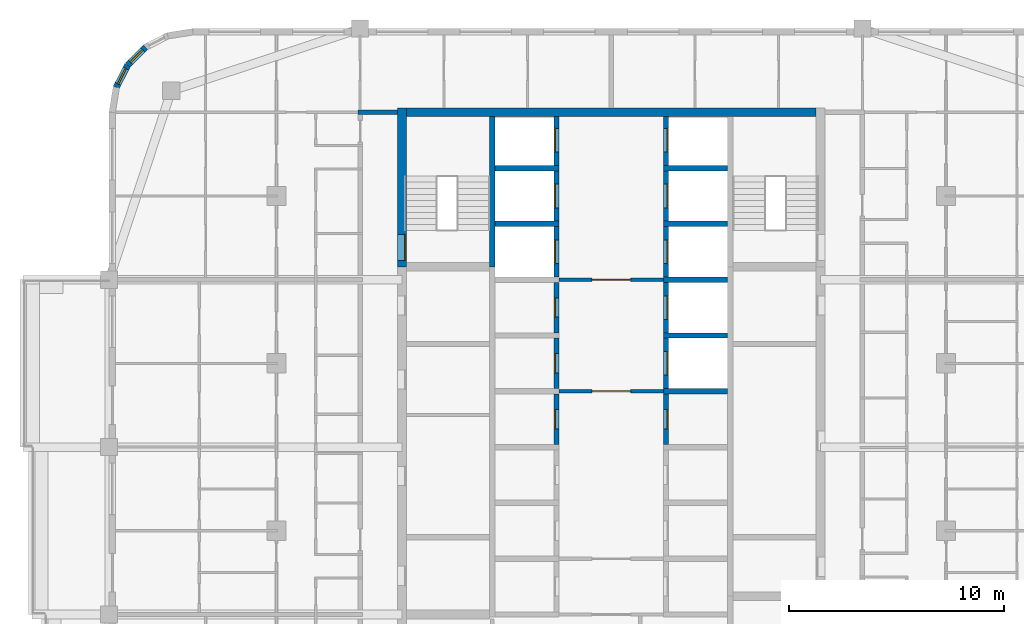
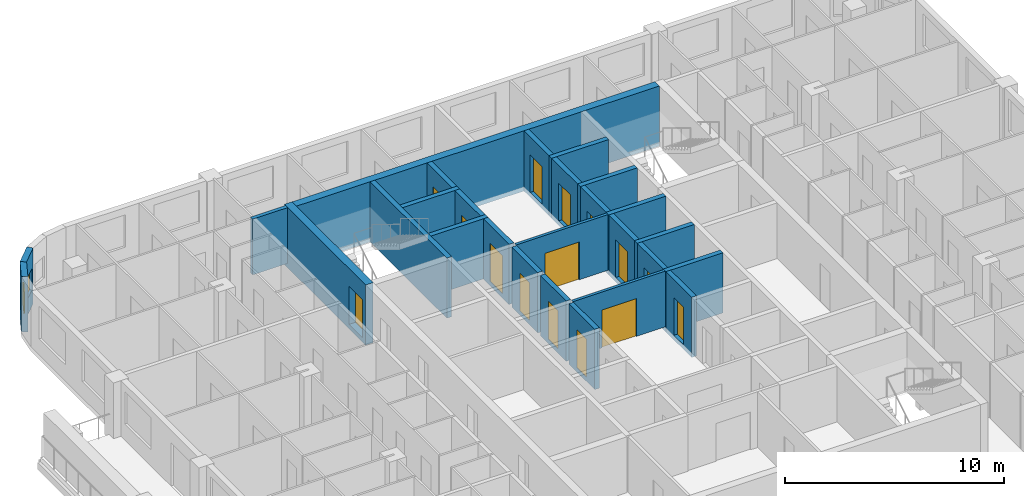
# One storey, part 9 of 16: 27 walls, 15 doors, 2 windows, 17 openings.
"""IFC4 building model written with IfcOpenShell, lengths in metres."""

import ifcopenshell
import ifcopenshell.guid

model = None  # the IFC model being written
_history = None  # IfcOwnerHistory: only IFC2X3 demands one
_inside = {}  # id of a spatial element -> (the spatial element, [elements in it])
_under = {}  # id of a project, library or spatial element -> (it, [spatial elements below it])
_declared = {}  # id of a project -> (the project, [libraries it declares])
_typed = {}  # id of a type object -> (the type object, [elements of that type])
_made_of = {}  # id of a material, layer set ... -> (it, [elements and type objects made of it])


def new_model(schema):
    """Start an empty IFC model of exactly this schema.

    Asked for "IFC4X3", IfcOpenShell would pick the latest addendum, in which some entities
    have other attributes; the version numbers below select the first issue.
    IFC2X3 requires an IfcOwnerHistory on every rooted entity: one is made here for all.
    """
    global model, _history
    if schema == "IFC4X3":
        model = ifcopenshell.file(schema_version=(4, 3, 0, 0))
    else:
        model = ifcopenshell.file(schema=schema)
    _inside.clear()
    _under.clear()
    _declared.clear()
    _typed.clear()
    _made_of.clear()
    _history = None
    if model.schema == "IFC2X3":
        org = make("IfcOrganization", Name="unknown")
        user = make(
            "IfcPersonAndOrganization",
            ThePerson=make("IfcPerson", FamilyName="unknown"),
            TheOrganization=org,
        )
        app = make(
            "IfcApplication",
            ApplicationDeveloper=org,
            Version="unknown",
            ApplicationFullName="unknown",
            ApplicationIdentifier="unknown",
        )
        _history = make(
            "IfcOwnerHistory",
            OwningUser=user,
            OwningApplication=app,
            ChangeAction="ADDED",
            CreationDate=0,
        )
    return model


def make(cls, **values):
    """One entity of the class cls with the attributes given. An attribute that is None is left unset."""
    return model.create_entity(
        cls, **{name: value for name, value in values.items() if value is not None}
    )


def rooted(cls, **values):
    """An entity with a GlobalId (a new one), such as an element, a storey or a relation."""
    return make(cls, GlobalId=ifcopenshell.guid.new(), OwnerHistory=_history, **values)


def si_unit(unit_type, name, prefix=None):
    """IfcSIUnit, for example si_unit("LENGTHUNIT", "METRE", prefix="MILLI")."""
    return make("IfcSIUnit", UnitType=unit_type, Prefix=prefix, Name=name)


def assignment(units):
    """IfcUnitAssignment: the units of a project."""
    return None if units is None else make("IfcUnitAssignment", Units=units)


def point(xyz):
    """IfcCartesianPoint."""
    return None if xyz is None else make("IfcCartesianPoint", Coordinates=xyz)


def direction(xyz):
    """IfcDirection."""
    return None if xyz is None else make("IfcDirection", DirectionRatios=xyz)


def frame(location, z_axis=None, x_axis=None):
    """IfcAxis2Placement3D, a coordinate frame: its origin and axes. An axis left out is left unset."""
    return make(
        "IfcAxis2Placement3D",
        Location=point(location),
        Axis=direction(z_axis),
        RefDirection=direction(x_axis),
    )


def frame_2d(location, x_axis=None):
    """IfcAxis2Placement2D, a coordinate frame in the plane: its origin and x axis."""
    return make(
        "IfcAxis2Placement2D", Location=point(location), RefDirection=direction(x_axis)
    )


def origin():
    """The frame at (0, 0, 0) with its axes left unset."""
    return frame((0.0, 0.0, 0.0))


def place(relative_to, where):
    """IfcLocalPlacement: puts the frame where relative to a parent placement (None: the world)."""
    return make(
        "IfcLocalPlacement", PlacementRelTo=relative_to, RelativePlacement=where
    )


def context(
    kind, dimensions, precision=None, world=None, true_north=None, identifier=None
):
    """IfcGeometricRepresentationContext, for example the 3D "Model" context."""
    return make(
        "IfcGeometricRepresentationContext",
        ContextIdentifier=identifier,
        ContextType=kind,
        CoordinateSpaceDimension=dimensions,
        Precision=precision,
        WorldCoordinateSystem=world,
        TrueNorth=true_north,
    )


def subcontext(parent, identifier, kind, view, scale=None):
    """IfcGeometricRepresentationSubContext, for example "Body" below "Model"."""
    return make(
        "IfcGeometricRepresentationSubContext",
        ContextIdentifier=identifier,
        ContextType=kind,
        ParentContext=parent,
        TargetScale=scale,
        TargetView=view,
    )


def project(units=None, contexts=None):
    """IfcProject with its units and contexts."""
    return rooted(
        "IfcProject",
        Name="project",
        RepresentationContexts=contexts,
        UnitsInContext=assignment(units),
    )


def spatial(cls, under=None, at=None, **own):
    """A site, building, storey or space (cls), placed at a placement, below another one or the project."""
    s = rooted(cls, ObjectPlacement=at, **own)
    if under is not None:
        _under.setdefault(under.id(), (under, []))[1].append(s)
    return s


def profile(cls, at=None, kind="AREA", **sizes):
    """A parametric profile (cls). Its sizes go by their IFC names, for example OverallWidth=200.0."""
    return make(cls, ProfileType=kind, Position=at, **sizes)


def rectangle(**sizes):
    """IfcRectangleProfileDef."""
    return profile("IfcRectangleProfileDef", **sizes)


def extrude(swept, where, along, depth):
    """IfcExtrudedAreaSolid: the profile swept, set in the frame where, extruded along a direction by depth."""
    return make(
        "IfcExtrudedAreaSolid",
        SweptArea=swept,
        Position=where,
        ExtrudedDirection=direction(along),
        Depth=depth,
    )


def shape(context_of_items, identifier, shape_type, items):
    """IfcShapeRepresentation: the items that make up one representation, for example the "Body"."""
    return make(
        "IfcShapeRepresentation",
        ContextOfItems=context_of_items,
        RepresentationIdentifier=identifier,
        RepresentationType=shape_type,
        Items=items,
    )


def material(Name=None, Category=None):
    """IfcMaterial."""
    return make("IfcMaterial", Name=Name, Category=Category)


def layer(
    of_material, thickness, ventilated=None, Name=None, Category=None, Priority=None
):
    """IfcMaterialLayer: one layer of a wall or slab, of a material (None: an air gap)."""
    return make(
        "IfcMaterialLayer",
        Material=of_material,
        LayerThickness=thickness,
        IsVentilated=ventilated,
        Name=Name,
        Category=Category,
        Priority=Priority,
    )


def layer_set(layers, Name=None):
    """IfcMaterialLayerSet."""
    return make("IfcMaterialLayerSet", MaterialLayers=layers, LayerSetName=Name)


def made_of(thing, what):
    """Note that an element or type object is made of a material, layer set ...; save() writes the relation."""
    if what is not None:
        _made_of.setdefault(what.id(), (what, []))[1].append(thing)
    return thing


def type_object(cls, material=None, **own):
    """A type object (cls), such as IfcWallType, which elements share."""
    return made_of(rooted(cls, **own), material)


def element(
    cls,
    number,
    at=None,
    inside=None,
    cuts=None,
    type_object=None,
    material=None,
    context=None,
    identifier="Body",
    shape_type=None,
    held_by="IfcProductDefinitionShape",
    body=None,
    shapes=None,
    **own,
):
    """One element of the class cls, such as IfcWall. Its Tag is "e" and its number.

    at: its placement. inside: the storey or other place that contains it. cuts: it is an
    opening in that element (IfcRelVoidsElement). A single representation is given by context,
    identifier, shape_type and body (its items); several are given by shapes. held_by: the class
    of the entity that holds the representations. save() writes the other relations.
    """
    e = rooted(cls, Tag="e%d" % number, ObjectPlacement=at, **own)
    if body is not None:
        shapes = [shape(context, identifier, shape_type, body)]
    if shapes is not None:
        e.Representation = make(held_by, Representations=shapes)
    if inside is not None:
        _inside.setdefault(inside.id(), (inside, []))[1].append(e)
    if cuts is not None:
        rooted(
            "IfcRelVoidsElement", RelatingBuildingElement=cuts, RelatedOpeningElement=e
        )
    if type_object is not None:
        _typed.setdefault(type_object.id(), (type_object, []))[1].append(e)
    return made_of(e, material)


def fill(opening, filler):
    """IfcRelFillsElement: the door or window that sits in an opening."""
    return rooted(
        "IfcRelFillsElement",
        RelatingOpeningElement=opening,
        RelatedBuildingElement=filler,
    )


def aggregate(whole, parts):
    """IfcRelAggregates: a whole, such as a stair, and the parts it consists of."""
    return rooted("IfcRelAggregates", RelatingObject=whole, RelatedObjects=parts)


def save(model, path):
    """Write the relations noted so far, then the file.

    IfcRelAggregates (storeys below a building ...), IfcRelContainedInSpatialStructure (elements
    in a storey), IfcRelDefinesByType, IfcRelAssociatesMaterial and IfcRelDeclares: one each for
    every whole, place, type object, material and project.
    """
    for whole, parts in _under.values():
        aggregate(whole, parts)
    for where, things in _inside.values():
        rooted(
            "IfcRelContainedInSpatialStructure",
            RelatedElements=things,
            RelatingStructure=where,
        )
    for kind, things in _typed.values():
        rooted("IfcRelDefinesByType", RelatedObjects=things, RelatingType=kind)
    for what, things in _made_of.values():
        rooted("IfcRelAssociatesMaterial", RelatedObjects=things, RelatingMaterial=what)
    for by, libraries in _declared.values():
        rooted("IfcRelDeclares", RelatingContext=by, RelatedDefinitions=libraries)
    model.write(path)


model = new_model("IFC4")

# Units and contexts
model_context = context("Model", 3, precision=1e-05, world=origin(), true_north=direction((0.0, 1.0)))
body_context = subcontext(model_context, "Body", "Model", "MODEL_VIEW")
ifc_project = project(units=[si_unit("LENGTHUNIT", "METRE"), si_unit("AREAUNIT", "SQUARE_METRE"), si_unit("VOLUMEUNIT", "CUBIC_METRE"), si_unit("PLANEANGLEUNIT", "RADIAN"), si_unit("MASSUNIT", "GRAM", prefix="KILO")], contexts=[model_context])

# Site, building, storey
site_placement = place(None, origin())
site = spatial("IfcSite", under=ifc_project, at=site_placement, CompositionType="ELEMENT")
building_placement = place(site_placement, origin())
building = spatial("IfcBuilding", under=site, at=building_placement, Name="Ludao Terraces", CompositionType="ELEMENT")
storey_placement = place(building_placement, frame((0.0, 0.0, 238.10009765625)))
storey = spatial("IfcBuildingStorey", under=building, at=storey_placement, Name="L65", CompositionType="ELEMENT", Elevation=238.10009765625)

# Wall, opening, door
ifc_material_1 = material(Name="Concrete C50", Category="concrete")
ifc_layer_1 = layer(ifc_material_1, 0.39990234375)
ifc_layer_set_1 = layer_set([ifc_layer_1], Name="Core wall 400 C50")
wall_type_1 = type_object("IfcWallType", Name="Core wall 400 C50", PredefinedType="SOLIDWALL", material=ifc_layer_set_1)
wall_1_placement = place(storey_placement, frame((75.25, 77.300048828125, -0.25), z_axis=(0.0, 0.0, 1.0), x_axis=(0.0, 1.0, 0.0)))
wall_1 = element("IfcWall", 1, at=wall_1_placement, inside=storey, type_object=wall_type_1, Name="Core wall L65 outer-W-S1", PredefinedType="SOLIDWALL", context=body_context, shape_type="SweptSolid", body=[
    extrude(rectangle(XDim=7.39990234375, YDim=0.39990234375, at=frame_2d((3.699951171875, 0.0))), origin(), (0.0, 0.0, 1.0), 3.349853515625),
])
opening_1_placement = place(wall_1_placement, frame((0.300048828125, 0.0, 0.25)))
opening_1 = element("IfcOpeningElement", 2, at=opening_1_placement, cuts=wall_1, Name="Opening R23-113", PredefinedType="OPENING", context=body_context, shape_type="SweptSolid", body=[
    extrude(rectangle(XDim=1.199951171875, YDim=2.10009765625, at=frame_2d((0.60009765625, 1.050048828125))), frame((0.0, 0.2099609375, 0.0), z_axis=(0.0, -1.0, 0.0), x_axis=(1.0, 0.0, 0.0)), (0.0, 0.0, 1.0), 0.419921875),
])
ifc_material_2 = material(Name="Steel Q235", Category="steel")
door_type_1 = type_object("IfcDoorType", Name="INT Stair door 1200", OperationType="DOUBLE_DOOR_SINGLE_SWING", PredefinedType="DOOR", material=ifc_material_2)
door_1_placement = place(opening_1_placement, origin())
door_1 = element("IfcDoor", 3, at=door_1_placement, inside=storey, type_object=door_type_1, Name="DOOR 113", OperationType="DOUBLE_DOOR_SINGLE_SWING", OverallHeight=2.10009765625, OverallWidth=1.199951171875, PredefinedType="DOOR", context=body_context, shape_type="SweptSolid", body=[
    extrude(rectangle(XDim=1.199951171875, YDim=2.10009765625, at=frame_2d((0.60009765625, 1.050048828125))), frame((0.0, -0.134765625, 0.0), z_axis=(0.0, -1.0, 0.0), x_axis=(1.0, 0.0, 0.0)), (0.0, 0.0, 1.0), 0.050048828125),
])
fill(opening_1, door_1)

# Wall
wall_2_placement = place(storey_placement, frame((75.449951171875, 84.5, -0.25), z_axis=(0.0, 0.0, 1.0), x_axis=(1.0, 0.0, 0.0)))
element("IfcWall", 4, at=wall_2_placement, inside=storey, type_object=wall_type_1, Name="Core wall L65 outer-N", PredefinedType="SOLIDWALL", context=body_context, shape_type="SweptSolid", body=[
    extrude(rectangle(XDim=19.10009765625, YDim=0.39990234375, at=frame_2d((9.550048828125, 0.0))), origin(), (0.0, 0.0, 1.0), 3.349853515625),
])

# Wall, opening, window
ifc_material_3 = material(Name="Granite cladding", Category="masonry")
ifc_layer_2 = layer(ifc_material_3, 0.0400390625, Category="stone")
ifc_material_4 = material(Name="Mineral wool")
ifc_layer_3 = layer(ifc_material_4, 0.06005859375)
ifc_material_5 = material(Name="Concrete C40", Category="concrete")
ifc_layer_4 = layer(ifc_material_5, 0.199951171875, Category="concrete")
ifc_layer_set_2 = layer_set([ifc_layer_2, ifc_layer_3, ifc_layer_4], Name="ENV Stone-clad wall 300")
wall_type_2 = type_object("IfcWallType", Name="ENV Stone-clad wall 300", PredefinedType="SOLIDWALL", material=ifc_layer_set_2)
wall_3_placement = place(storey_placement, frame((63.2958984375, 87.53369140625, 0.0), z_axis=(0.0, 0.0, 1.0), x_axis=(-0.707106781187, -0.707106781187, 0.0)))
wall_3 = element("IfcWall", 5, at=wall_3_placement, inside=storey, type_object=wall_type_2, Name="EW-L65-NW3", PredefinedType="SOLIDWALL", context=body_context, shape_type="SweptSolid", body=[
    extrude(rectangle(XDim=1.173095703125, YDim=0.300048828125, at=frame_2d((0.58642578125, 0.0))), origin(), (0.0, 0.0, 1.0), 3.099853515625),
])
opening_2_placement = place(wall_3_placement, frame((0.1865234375, 0.0, 0.89990234375)))
opening_2 = element("IfcOpeningElement", 6, at=opening_2_placement, cuts=wall_3, Name="Opening W3", PredefinedType="OPENING", context=body_context, shape_type="SweptSolid", body=[
    extrude(rectangle(XDim=0.800048828125, YDim=1.199951171875, at=frame_2d((0.39990234375, 0.60009765625))), frame((0.0, 0.16015625, 0.0), z_axis=(0.0, -1.0, 0.0), x_axis=(1.0, 0.0, 0.0)), (0.0, 0.0, 1.0), 0.320068359375),
])
ifc_material_6 = material(Name="Clear glass in aluminium frame", Category="aluminium")
ifc_layer_5 = layer(ifc_material_6, 0.06005859375)
ifc_layer_set_3 = layer_set([ifc_layer_5], Name="ENV Window W3 800x1200")
window_type = type_object("IfcWindowType", Name="ENV Window W3 800x1200", PartitioningType="SINGLE_PANEL", PredefinedType="WINDOW", material=ifc_layer_set_3)
window_1_placement = place(opening_2_placement, origin())
window_1 = element("IfcWindow", 7, at=window_1_placement, inside=storey, type_object=window_type, Name="W-L65-NW3", OverallHeight=1.199951171875, OverallWidth=0.800048828125, PartitioningType="SINGLE_PANEL", PredefinedType="WINDOW", context=body_context, shape_type="SweptSolid", body=[
    extrude(rectangle(XDim=0.800048828125, YDim=1.199951171875, at=frame_2d((0.39990234375, 0.60009765625))), frame((0.0, 0.030029296875, 0.0), z_axis=(0.0, -1.0, 0.0), x_axis=(1.0, 0.0, 0.0)), (0.0, 0.0, 1.0), 0.06005859375),
])
fill(opening_2, window_1)

wall_4_placement = place(storey_placement, frame((62.46630859375, 86.7041015625, 0.0), z_axis=(0.0, 0.0, 1.0), x_axis=(-0.454025524128, -0.890988677504, 0.0)))
wall_4 = element("IfcWall", 8, at=wall_4_placement, inside=storey, type_object=wall_type_2, Name="EW-L65-NW4", PredefinedType="SOLIDWALL", context=body_context, shape_type="SweptSolid", body=[
    extrude(rectangle(XDim=1.17333984375, YDim=0.300048828125, at=frame_2d((0.586669921875, 0.0))), origin(), (0.0, 0.0, 1.0), 3.099853515625),
])
opening_3_placement = place(wall_4_placement, frame((0.1865234375, 0.0, 0.89990234375)))
opening_3 = element("IfcOpeningElement", 9, at=opening_3_placement, cuts=wall_4, Name="Opening W3", PredefinedType="OPENING", context=body_context, shape_type="SweptSolid", body=[
    extrude(rectangle(XDim=0.800048828125, YDim=1.199951171875, at=frame_2d((0.39990234375, 0.60009765625))), frame((0.0, 0.16015625, 0.0), z_axis=(0.0, -1.0, 0.0), x_axis=(1.0, 0.0, 0.0)), (0.0, 0.0, 1.0), 0.320068359375),
])
window_2_placement = place(opening_3_placement, origin())
window_2 = element("IfcWindow", 10, at=window_2_placement, inside=storey, type_object=window_type, Name="W-L65-NW4", OverallHeight=1.199951171875, OverallWidth=0.800048828125, PartitioningType="SINGLE_PANEL", PredefinedType="WINDOW", context=body_context, shape_type="SweptSolid", body=[
    extrude(rectangle(XDim=0.800048828125, YDim=1.199951171875, at=frame_2d((0.39990234375, 0.60009765625))), frame((0.0, 0.030029296875, 0.0), z_axis=(0.0, -1.0, 0.0), x_axis=(1.0, 0.0, 0.0)), (0.0, 0.0, 1.0), 0.06005859375),
])
fill(opening_3, window_2)

# Wall, opening, door
ifc_material_7 = material(Name="Fire-rated gypsum plasterboard", Category="gypsum")
ifc_layer_6 = layer(ifc_material_7, 0.012451171875, Category="gypsum")
ifc_layer_7 = layer(ifc_material_4, 0.10009765625, Name="insulation")
ifc_layer_8 = layer(ifc_material_2, 0.02490234375, Name="stud")
ifc_layer_9 = layer(ifc_material_7, 0.012451171875, Category="gypsum")
ifc_layer_set_4 = layer_set([ifc_layer_6, ifc_layer_7, ifc_layer_8, ifc_layer_9], Name="INT Core partition 150")
wall_type_3 = type_object("IfcWallType", Name="INT Core partition 150", PredefinedType="PARTITIONING", material=ifc_layer_set_4)
wall_5_placement = place(storey_placement, frame((82.5751953125, 71.5, 0.0), z_axis=(0.0, 0.0, 1.0), x_axis=(1.0, 0.0, 0.0)))
wall_5 = element("IfcWall", 11, at=wall_5_placement, inside=storey, type_object=wall_type_3, Name="PW-L65-PW050", PredefinedType="PARTITIONING", context=body_context, shape_type="SweptSolid", body=[
    extrude(rectangle(XDim=4.849853515625, YDim=0.14990234375, at=frame_2d((2.4248046875, 0.0))), origin(), (0.0, 0.0, 1.0), 3.099853515625),
])
opening_4_placement = place(wall_5_placement, frame((1.52490234375, 0.0, 0.0)))
opening_4 = element("IfcOpeningElement", 12, at=opening_4_placement, cuts=wall_5, Name="Opening R23-091", PredefinedType="OPENING", context=body_context, shape_type="SweptSolid", body=[
    extrude(rectangle(XDim=1.800048828125, YDim=2.10009765625, at=frame_2d((0.89990234375, 1.050048828125))), frame((0.0, 0.0849609375, 0.0), z_axis=(0.0, -1.0, 0.0), x_axis=(1.0, 0.0, 0.0)), (0.0, 0.0, 1.0), 0.169921875),
])
door_type_2 = type_object("IfcDoorType", Name="INT Fire lobby door 1800", OperationType="DOUBLE_DOOR_SINGLE_SWING", PredefinedType="DOOR", material=ifc_material_2)
door_2_placement = place(opening_4_placement, origin())
door_2 = element("IfcDoor", 13, at=door_2_placement, inside=storey, type_object=door_type_2, Name="DOOR 091", OperationType="DOUBLE_DOOR_SINGLE_SWING", OverallHeight=2.10009765625, OverallWidth=1.800048828125, PredefinedType="DOOR", context=body_context, shape_type="SweptSolid", body=[
    extrude(rectangle(XDim=1.800048828125, YDim=2.10009765625, at=frame_2d((0.89990234375, 1.050048828125))), frame((0.0, 0.02490234375, 0.0), z_axis=(0.0, -1.0, 0.0), x_axis=(1.0, 0.0, 0.0)), (0.0, 0.0, 1.0), 0.050048828125),
])
fill(opening_4, door_2)

wall_6_placement = place(storey_placement, frame((82.5751953125, 76.699951171875, 0.0), z_axis=(0.0, 0.0, 1.0), x_axis=(1.0, 0.0, 0.0)))
wall_6 = element("IfcWall", 14, at=wall_6_placement, inside=storey, type_object=wall_type_3, Name="PW-L65-PW057", PredefinedType="PARTITIONING", context=body_context, shape_type="SweptSolid", body=[
    extrude(rectangle(XDim=4.849853515625, YDim=0.14990234375, at=frame_2d((2.4248046875, 0.0))), origin(), (0.0, 0.0, 1.0), 3.099853515625),
])
opening_5_placement = place(wall_6_placement, frame((1.52490234375, 0.0, 0.0)))
opening_5 = element("IfcOpeningElement", 15, at=opening_5_placement, cuts=wall_6, Name="Opening R23-108", PredefinedType="OPENING", context=body_context, shape_type="SweptSolid", body=[
    extrude(rectangle(XDim=1.800048828125, YDim=2.10009765625, at=frame_2d((0.89990234375, 1.050048828125))), frame((0.0, 0.0849609375, 0.0), z_axis=(0.0, -1.0, 0.0), x_axis=(1.0, 0.0, 0.0)), (0.0, 0.0, 1.0), 0.169921875),
])
door_3_placement = place(opening_5_placement, origin())
door_3 = element("IfcDoor", 16, at=door_3_placement, inside=storey, type_object=door_type_2, Name="DOOR 108", OperationType="DOUBLE_DOOR_SINGLE_SWING", OverallHeight=2.10009765625, OverallWidth=1.800048828125, PredefinedType="DOOR", context=body_context, shape_type="SweptSolid", body=[
    extrude(rectangle(XDim=1.800048828125, YDim=2.10009765625, at=frame_2d((0.89990234375, 1.050048828125))), frame((0.0, 0.02490234375, 0.0), z_axis=(0.0, -1.0, 0.0), x_axis=(1.0, 0.0, 0.0)), (0.0, 0.0, 1.0), 0.050048828125),
])
fill(opening_5, door_3)

# Walls
ifc_material_8 = material(Name="Autoclaved aerated concrete block B06 A3.5", Category="concrete")
ifc_layer_10 = layer(ifc_material_8, 0.199951171875)
ifc_layer_set_5 = layer_set([ifc_layer_10], Name="INT Entrance wall 200")
wall_type_4 = type_object("IfcWallType", Name="INT Entrance wall 200", PredefinedType="PARTITIONING", material=ifc_layer_set_5)
wall_7_placement = place(storey_placement, frame((73.2001953125, 84.5, 0.0), z_axis=(0.0, 0.0, 1.0), x_axis=(1.0, 0.0, 0.0)))
element("IfcWall", 17, at=wall_7_placement, inside=storey, type_object=wall_type_4, Name="PW-L65-PW068", PredefinedType="PARTITIONING", context=body_context, shape_type="SweptSolid", body=[
    extrude(rectangle(XDim=1.849853515625, YDim=0.199951171875, at=frame_2d((0.9248046875, 0.0))), origin(), (0.0, 0.0, 1.0), 3.099853515625),
])
ifc_layer_11 = layer(ifc_material_1, 0.25)
ifc_layer_set_6 = layer_set([ifc_layer_11], Name="Shaft wall 250 C50")
wall_type_5 = type_object("IfcWallType", Name="Shaft wall 250 C50", PredefinedType="SOLIDWALL", material=ifc_layer_set_6)
wall_8_placement = place(storey_placement, frame((79.449951171875, 77.300048828125, -0.25), z_axis=(0.0, 0.0, 1.0), x_axis=(0.0, 1.0, 0.0)))
element("IfcWall", 18, at=wall_8_placement, inside=storey, type_object=wall_type_5, Name="Core wall L65 back-W-S1", PredefinedType="SOLIDWALL", context=body_context, shape_type="SweptSolid", body=[
    extrude(rectangle(XDim=7.0, YDim=0.25, at=frame_2d((3.5, 0.0))), origin(), (0.0, 0.0, 1.0), 3.349853515625),
])

# Wall, opening, door
wall_9_placement = place(storey_placement, frame((82.449951171875, 69.02490234375, -0.25), z_axis=(0.0, 0.0, 1.0), x_axis=(0.0, 1.0, 0.0)))
wall_9 = element("IfcWall", 19, at=wall_9_placement, inside=storey, type_object=wall_type_5, Name="Core wall L65 front-W4", PredefinedType="SOLIDWALL", context=body_context, shape_type="SweptSolid", body=[
    extrude(rectangle(XDim=2.35009765625, YDim=0.25, at=frame_2d((1.175048828125, 0.0))), origin(), (0.0, 0.0, 1.0), 3.349853515625),
])
opening_6_placement = place(wall_9_placement, frame((0.72509765625, 0.0, 0.25)))
opening_6 = element("IfcOpeningElement", 20, at=opening_6_placement, cuts=wall_9, Name="Opening R23-085", PredefinedType="OPENING", context=body_context, shape_type="SweptSolid", body=[
    extrude(rectangle(XDim=0.89990234375, YDim=2.10009765625, at=frame_2d((0.449951171875, 1.050048828125))), frame((0.0, 0.135009765625, 0.0), z_axis=(0.0, -1.0, 0.0), x_axis=(1.0, 0.0, 0.0)), (0.0, 0.0, 1.0), 0.27001953125),
])
ifc_material_9 = material(Name="Timber door leaf", Category="wood")
door_type_3 = type_object("IfcDoorType", Name="INT Room door 900", OperationType="SINGLE_SWING_LEFT", PredefinedType="DOOR", material=ifc_material_9)
door_4_placement = place(opening_6_placement, origin())
door_4 = element("IfcDoor", 21, at=door_4_placement, inside=storey, type_object=door_type_3, Name="DOOR 085", OperationType="SINGLE_SWING_LEFT", OverallHeight=2.10009765625, OverallWidth=0.89990234375, PredefinedType="DOOR", context=body_context, shape_type="SweptSolid", body=[
    extrude(rectangle(XDim=0.89990234375, YDim=2.10009765625, at=frame_2d((0.449951171875, 1.050048828125))), frame((0.0, 0.10986328125, 0.0), z_axis=(0.0, -1.0, 0.0), x_axis=(1.0, 0.0, 0.0)), (0.0, 0.0, 1.0), 0.050048828125),
])
fill(opening_6, door_4)

wall_10_placement = place(storey_placement, frame((82.449951171875, 71.625, -0.25), z_axis=(0.0, 0.0, 1.0), x_axis=(0.0, 1.0, 0.0)))
wall_10 = element("IfcWall", 22, at=wall_10_placement, inside=storey, type_object=wall_type_5, Name="Core wall L65 front-W5", PredefinedType="SOLIDWALL", context=body_context, shape_type="SweptSolid", body=[
    extrude(rectangle(XDim=2.35009765625, YDim=0.25, at=frame_2d((1.175048828125, 0.0))), origin(), (0.0, 0.0, 1.0), 3.349853515625),
])
opening_7_placement = place(wall_10_placement, frame((0.72509765625, 0.0, 0.25)))
opening_7 = element("IfcOpeningElement", 23, at=opening_7_placement, cuts=wall_10, Name="Opening R23-095", PredefinedType="OPENING", context=body_context, shape_type="SweptSolid", body=[
    extrude(rectangle(XDim=0.89990234375, YDim=2.10009765625, at=frame_2d((0.449951171875, 1.050048828125))), frame((0.0, 0.135009765625, 0.0), z_axis=(0.0, -1.0, 0.0), x_axis=(1.0, 0.0, 0.0)), (0.0, 0.0, 1.0), 0.27001953125),
])
door_5_placement = place(opening_7_placement, origin())
door_5 = element("IfcDoor", 24, at=door_5_placement, inside=storey, type_object=door_type_3, Name="DOOR 095", OperationType="SINGLE_SWING_RIGHT", OverallHeight=2.10009765625, OverallWidth=0.89990234375, PredefinedType="DOOR", context=body_context, shape_type="SweptSolid", body=[
    extrude(rectangle(XDim=0.89990234375, YDim=2.10009765625, at=frame_2d((0.449951171875, 1.050048828125))), frame((0.0, 0.10986328125, 0.0), z_axis=(0.0, -1.0, 0.0), x_axis=(1.0, 0.0, 0.0)), (0.0, 0.0, 1.0), 0.050048828125),
])
fill(opening_7, door_5)

wall_11_placement = place(storey_placement, frame((82.449951171875, 74.22509765625, -0.25), z_axis=(0.0, 0.0, 1.0), x_axis=(0.0, 1.0, 0.0)))
wall_11 = element("IfcWall", 25, at=wall_11_placement, inside=storey, type_object=wall_type_5, Name="Core wall L65 front-W6", PredefinedType="SOLIDWALL", context=body_context, shape_type="SweptSolid", body=[
    extrude(rectangle(XDim=2.349853515625, YDim=0.25, at=frame_2d((1.1748046875, 0.0))), origin(), (0.0, 0.0, 1.0), 3.349853515625),
])
opening_8_placement = place(wall_11_placement, frame((0.72509765625, 0.0, 0.25)))
opening_8 = element("IfcOpeningElement", 26, at=opening_8_placement, cuts=wall_11, Name="Opening R23-101", PredefinedType="OPENING", context=body_context, shape_type="SweptSolid", body=[
    extrude(rectangle(XDim=0.89990234375, YDim=2.10009765625, at=frame_2d((0.449951171875, 1.050048828125))), frame((0.0, 0.135009765625, 0.0), z_axis=(0.0, -1.0, 0.0), x_axis=(1.0, 0.0, 0.0)), (0.0, 0.0, 1.0), 0.27001953125),
])
door_6_placement = place(opening_8_placement, origin())
door_6 = element("IfcDoor", 27, at=door_6_placement, inside=storey, type_object=door_type_3, Name="DOOR 101", OperationType="SINGLE_SWING_LEFT", OverallHeight=2.10009765625, OverallWidth=0.89990234375, PredefinedType="DOOR", context=body_context, shape_type="SweptSolid", body=[
    extrude(rectangle(XDim=0.89990234375, YDim=2.10009765625, at=frame_2d((0.449951171875, 1.050048828125))), frame((0.0, 0.10986328125, 0.0), z_axis=(0.0, -1.0, 0.0), x_axis=(1.0, 0.0, 0.0)), (0.0, 0.0, 1.0), 0.050048828125),
])
fill(opening_8, door_6)

wall_12_placement = place(storey_placement, frame((82.449951171875, 76.824951171875, -0.25), z_axis=(0.0, 0.0, 1.0), x_axis=(0.0, 1.0, 0.0)))
wall_12 = element("IfcWall", 28, at=wall_12_placement, inside=storey, type_object=wall_type_5, Name="Core wall L65 front-W7", PredefinedType="SOLIDWALL", context=body_context, shape_type="SweptSolid", body=[
    extrude(rectangle(XDim=2.35009765625, YDim=0.25, at=frame_2d((1.175048828125, 0.0))), origin(), (0.0, 0.0, 1.0), 3.349853515625),
])
opening_9_placement = place(wall_12_placement, frame((0.625, 0.0, 0.25)))
opening_9 = element("IfcOpeningElement", 29, at=opening_9_placement, cuts=wall_12, Name="Opening LD-FF1", PredefinedType="OPENING", context=body_context, shape_type="SweptSolid", body=[
    extrude(rectangle(XDim=1.10009765625, YDim=2.10009765625, at=frame_2d((0.550048828125, 1.050048828125))), frame((0.0, 0.135009765625, 0.0), z_axis=(0.0, -1.0, 0.0), x_axis=(1.0, 0.0, 0.0)), (0.0, 0.0, 1.0), 0.27001953125),
])
ifc_material_10 = material(Name="Stainless steel 304", Category="steel")
door_type_4 = type_object("IfcDoorType", Name="INT Lift landing door 1100", OperationType="SLIDING_TO_LEFT", PredefinedType="DOOR", material=ifc_material_10)
door_7_placement = place(opening_9_placement, origin())
door_7 = element("IfcDoor", 30, at=door_7_placement, inside=storey, type_object=door_type_4, Name="LANDING DOOR FF1 L65", OperationType="SLIDING_TO_LEFT", OverallHeight=2.10009765625, OverallWidth=1.10009765625, PredefinedType="DOOR", context=body_context, shape_type="SweptSolid", body=[
    extrude(rectangle(XDim=1.10009765625, YDim=2.10009765625, at=frame_2d((0.550048828125, 1.050048828125))), frame((0.0, 0.10986328125, 0.0), z_axis=(0.0, -1.0, 0.0), x_axis=(1.0, 0.0, 0.0)), (0.0, 0.0, 1.0), 0.050048828125),
])
fill(opening_9, door_7)

# Wall
wall_13_placement = place(storey_placement, frame((79.574951171875, 79.300048828125, -0.25), z_axis=(0.0, 0.0, 1.0), x_axis=(1.0, 0.0, 0.0)))
element("IfcWall", 31, at=wall_13_placement, inside=storey, type_object=wall_type_5, Name="Core wall L65 div-W8", PredefinedType="SOLIDWALL", context=body_context, shape_type="SweptSolid", body=[
    extrude(rectangle(XDim=3.0, YDim=0.25, at=frame_2d((1.5, 0.0))), origin(), (0.0, 0.0, 1.0), 3.349853515625),
])

# Wall, opening, door
wall_14_placement = place(storey_placement, frame((82.449951171875, 79.425048828125, -0.25), z_axis=(0.0, 0.0, 1.0), x_axis=(0.0, 1.0, 0.0)))
wall_14 = element("IfcWall", 32, at=wall_14_placement, inside=storey, type_object=wall_type_5, Name="Core wall L65 front-W8", PredefinedType="SOLIDWALL", context=body_context, shape_type="SweptSolid", body=[
    extrude(rectangle(XDim=2.349853515625, YDim=0.25, at=frame_2d((1.1748046875, 0.0))), origin(), (0.0, 0.0, 1.0), 3.349853515625),
])
opening_10_placement = place(wall_14_placement, frame((0.625, 0.0, 0.25)))
opening_10 = element("IfcOpeningElement", 33, at=opening_10_placement, cuts=wall_14, Name="Opening LD-FF2", PredefinedType="OPENING", context=body_context, shape_type="SweptSolid", body=[
    extrude(rectangle(XDim=1.10009765625, YDim=2.10009765625, at=frame_2d((0.550048828125, 1.050048828125))), frame((0.0, 0.135009765625, 0.0), z_axis=(0.0, -1.0, 0.0), x_axis=(1.0, 0.0, 0.0)), (0.0, 0.0, 1.0), 0.27001953125),
])
door_8_placement = place(opening_10_placement, origin())
door_8 = element("IfcDoor", 34, at=door_8_placement, inside=storey, type_object=door_type_4, Name="LANDING DOOR FF2 L65", OperationType="SLIDING_TO_LEFT", OverallHeight=2.10009765625, OverallWidth=1.10009765625, PredefinedType="DOOR", context=body_context, shape_type="SweptSolid", body=[
    extrude(rectangle(XDim=1.10009765625, YDim=2.10009765625, at=frame_2d((0.550048828125, 1.050048828125))), frame((0.0, 0.10986328125, 0.0), z_axis=(0.0, -1.0, 0.0), x_axis=(1.0, 0.0, 0.0)), (0.0, 0.0, 1.0), 0.050048828125),
])
fill(opening_10, door_8)

# Wall
wall_15_placement = place(storey_placement, frame((79.574951171875, 81.89990234375, -0.25), z_axis=(0.0, 0.0, 1.0), x_axis=(1.0, 0.0, 0.0)))
element("IfcWall", 35, at=wall_15_placement, inside=storey, type_object=wall_type_5, Name="Core wall L65 div-W9", PredefinedType="SOLIDWALL", context=body_context, shape_type="SweptSolid", body=[
    extrude(rectangle(XDim=3.0, YDim=0.25, at=frame_2d((1.5, 0.0))), origin(), (0.0, 0.0, 1.0), 3.349853515625),
])

# Wall, opening, door
wall_16_placement = place(storey_placement, frame((82.449951171875, 82.02490234375, -0.25), z_axis=(0.0, 0.0, 1.0), x_axis=(0.0, 1.0, 0.0)))
wall_16 = element("IfcWall", 36, at=wall_16_placement, inside=storey, type_object=wall_type_5, Name="Core wall L65 front-W9", PredefinedType="SOLIDWALL", context=body_context, shape_type="SweptSolid", body=[
    extrude(rectangle(XDim=2.275146484375, YDim=0.25, at=frame_2d((1.1376953125, 0.0))), origin(), (0.0, 0.0, 1.0), 3.349853515625),
])
opening_11_placement = place(wall_16_placement, frame((0.625, 0.0, 0.25)))
opening_11 = element("IfcOpeningElement", 37, at=opening_11_placement, cuts=wall_16, Name="Opening LD-LB6", PredefinedType="OPENING", context=body_context, shape_type="SweptSolid", body=[
    extrude(rectangle(XDim=1.10009765625, YDim=2.10009765625, at=frame_2d((0.550048828125, 1.050048828125))), frame((0.0, 0.135009765625, 0.0), z_axis=(0.0, -1.0, 0.0), x_axis=(1.0, 0.0, 0.0)), (0.0, 0.0, 1.0), 0.27001953125),
])
door_9_placement = place(opening_11_placement, origin())
door_9 = element("IfcDoor", 38, at=door_9_placement, inside=storey, type_object=door_type_4, Name="LANDING DOOR LB6 L65", OperationType="SLIDING_TO_RIGHT", OverallHeight=2.10009765625, OverallWidth=1.10009765625, PredefinedType="DOOR", context=body_context, shape_type="SweptSolid", body=[
    extrude(rectangle(XDim=1.10009765625, YDim=2.10009765625, at=frame_2d((0.550048828125, 1.050048828125))), frame((0.0, 0.10986328125, 0.0), z_axis=(0.0, -1.0, 0.0), x_axis=(1.0, 0.0, 0.0)), (0.0, 0.0, 1.0), 0.050048828125),
])
fill(opening_11, door_9)

wall_17_placement = place(storey_placement, frame((87.550048828125, 69.02490234375, -0.25), z_axis=(0.0, 0.0, 1.0), x_axis=(0.0, 1.0, 0.0)))
wall_17 = element("IfcWall", 39, at=wall_17_placement, inside=storey, type_object=wall_type_5, Name="Core wall L65 front-E4", PredefinedType="SOLIDWALL", context=body_context, shape_type="SweptSolid", body=[
    extrude(rectangle(XDim=2.35009765625, YDim=0.25, at=frame_2d((1.175048828125, 0.0))), origin(), (0.0, 0.0, 1.0), 3.349853515625),
])
opening_12_placement = place(wall_17_placement, frame((0.72509765625, 0.0, 0.25)))
opening_12 = element("IfcOpeningElement", 40, at=opening_12_placement, cuts=wall_17, Name="Opening R23-086", PredefinedType="OPENING", context=body_context, shape_type="SweptSolid", body=[
    extrude(rectangle(XDim=0.89990234375, YDim=2.10009765625, at=frame_2d((0.449951171875, 1.050048828125))), frame((0.0, 0.135009765625, 0.0), z_axis=(0.0, -1.0, 0.0), x_axis=(1.0, 0.0, 0.0)), (0.0, 0.0, 1.0), 0.27001953125),
])
door_10_placement = place(opening_12_placement, origin())
door_10 = element("IfcDoor", 41, at=door_10_placement, inside=storey, type_object=door_type_3, Name="DOOR 086", OperationType="SINGLE_SWING_RIGHT", OverallHeight=2.10009765625, OverallWidth=0.89990234375, PredefinedType="DOOR", context=body_context, shape_type="SweptSolid", body=[
    extrude(rectangle(XDim=0.89990234375, YDim=2.10009765625, at=frame_2d((0.449951171875, 1.050048828125))), frame((0.0, -0.06005859375, 0.0), z_axis=(0.0, -1.0, 0.0), x_axis=(1.0, 0.0, 0.0)), (0.0, 0.0, 1.0), 0.050048828125),
])
fill(opening_12, door_10)

# Wall
wall_18_placement = place(storey_placement, frame((87.425048828125, 71.5, -0.25), z_axis=(0.0, 0.0, 1.0), x_axis=(1.0, 0.0, 0.0)))
element("IfcWall", 42, at=wall_18_placement, inside=storey, type_object=wall_type_5, Name="Core wall L65 div-E5", PredefinedType="SOLIDWALL", context=body_context, shape_type="SweptSolid", body=[
    extrude(rectangle(XDim=3.0, YDim=0.25, at=frame_2d((1.5, 0.0))), origin(), (0.0, 0.0, 1.0), 3.349853515625),
])

# Wall, opening, door
wall_19_placement = place(storey_placement, frame((87.550048828125, 71.625, -0.25), z_axis=(0.0, 0.0, 1.0), x_axis=(0.0, 1.0, 0.0)))
wall_19 = element("IfcWall", 43, at=wall_19_placement, inside=storey, type_object=wall_type_5, Name="Core wall L65 front-E5", PredefinedType="SOLIDWALL", context=body_context, shape_type="SweptSolid", body=[
    extrude(rectangle(XDim=2.35009765625, YDim=0.25, at=frame_2d((1.175048828125, 0.0))), origin(), (0.0, 0.0, 1.0), 3.349853515625),
])
opening_13_placement = place(wall_19_placement, frame((0.625, 0.0, 0.25)))
opening_13 = element("IfcOpeningElement", 44, at=opening_13_placement, cuts=wall_19, Name="Opening LD-LB1", PredefinedType="OPENING", context=body_context, shape_type="SweptSolid", body=[
    extrude(rectangle(XDim=1.10009765625, YDim=2.10009765625, at=frame_2d((0.550048828125, 1.050048828125))), frame((0.0, 0.135009765625, 0.0), z_axis=(0.0, -1.0, 0.0), x_axis=(1.0, 0.0, 0.0)), (0.0, 0.0, 1.0), 0.27001953125),
])
door_11_placement = place(opening_13_placement, origin())
door_11 = element("IfcDoor", 45, at=door_11_placement, inside=storey, type_object=door_type_4, Name="LANDING DOOR LB1 L65", OperationType="SLIDING_TO_LEFT", OverallHeight=2.10009765625, OverallWidth=1.10009765625, PredefinedType="DOOR", context=body_context, shape_type="SweptSolid", body=[
    extrude(rectangle(XDim=1.10009765625, YDim=2.10009765625, at=frame_2d((0.550048828125, 1.050048828125))), frame((0.0, -0.06005859375, 0.0), z_axis=(0.0, -1.0, 0.0), x_axis=(1.0, 0.0, 0.0)), (0.0, 0.0, 1.0), 0.050048828125),
])
fill(opening_13, door_11)

# Wall
wall_20_placement = place(storey_placement, frame((87.425048828125, 74.10009765625, -0.25), z_axis=(0.0, 0.0, 1.0), x_axis=(1.0, 0.0, 0.0)))
element("IfcWall", 46, at=wall_20_placement, inside=storey, type_object=wall_type_5, Name="Core wall L65 div-E6", PredefinedType="SOLIDWALL", context=body_context, shape_type="SweptSolid", body=[
    extrude(rectangle(XDim=3.0, YDim=0.25, at=frame_2d((1.5, 0.0))), origin(), (0.0, 0.0, 1.0), 3.349853515625),
])

# Wall, opening, door
wall_21_placement = place(storey_placement, frame((87.550048828125, 74.22509765625, -0.25), z_axis=(0.0, 0.0, 1.0), x_axis=(0.0, 1.0, 0.0)))
wall_21 = element("IfcWall", 47, at=wall_21_placement, inside=storey, type_object=wall_type_5, Name="Core wall L65 front-E6", PredefinedType="SOLIDWALL", context=body_context, shape_type="SweptSolid", body=[
    extrude(rectangle(XDim=2.349853515625, YDim=0.25, at=frame_2d((1.1748046875, 0.0))), origin(), (0.0, 0.0, 1.0), 3.349853515625),
])
opening_14_placement = place(wall_21_placement, frame((0.625, 0.0, 0.25)))
opening_14 = element("IfcOpeningElement", 48, at=opening_14_placement, cuts=wall_21, Name="Opening LD-LB2", PredefinedType="OPENING", context=body_context, shape_type="SweptSolid", body=[
    extrude(rectangle(XDim=1.10009765625, YDim=2.10009765625, at=frame_2d((0.550048828125, 1.050048828125))), frame((0.0, 0.135009765625, 0.0), z_axis=(0.0, -1.0, 0.0), x_axis=(1.0, 0.0, 0.0)), (0.0, 0.0, 1.0), 0.27001953125),
])
door_12_placement = place(opening_14_placement, origin())
door_12 = element("IfcDoor", 49, at=door_12_placement, inside=storey, type_object=door_type_4, Name="LANDING DOOR LB2 L65", OperationType="SLIDING_TO_LEFT", OverallHeight=2.10009765625, OverallWidth=1.10009765625, PredefinedType="DOOR", context=body_context, shape_type="SweptSolid", body=[
    extrude(rectangle(XDim=1.10009765625, YDim=2.10009765625, at=frame_2d((0.550048828125, 1.050048828125))), frame((0.0, -0.06005859375, 0.0), z_axis=(0.0, -1.0, 0.0), x_axis=(1.0, 0.0, 0.0)), (0.0, 0.0, 1.0), 0.050048828125),
])
fill(opening_14, door_12)

# Wall
wall_22_placement = place(storey_placement, frame((87.425048828125, 76.699951171875, -0.25), z_axis=(0.0, 0.0, 1.0), x_axis=(1.0, 0.0, 0.0)))
element("IfcWall", 50, at=wall_22_placement, inside=storey, type_object=wall_type_5, Name="Core wall L65 div-E7", PredefinedType="SOLIDWALL", context=body_context, shape_type="SweptSolid", body=[
    extrude(rectangle(XDim=3.0, YDim=0.25, at=frame_2d((1.5, 0.0))), origin(), (0.0, 0.0, 1.0), 3.349853515625),
])

# Wall, opening, door
wall_23_placement = place(storey_placement, frame((87.550048828125, 76.824951171875, -0.25), z_axis=(0.0, 0.0, 1.0), x_axis=(0.0, 1.0, 0.0)))
wall_23 = element("IfcWall", 51, at=wall_23_placement, inside=storey, type_object=wall_type_5, Name="Core wall L65 front-E7", PredefinedType="SOLIDWALL", context=body_context, shape_type="SweptSolid", body=[
    extrude(rectangle(XDim=2.35009765625, YDim=0.25, at=frame_2d((1.175048828125, 0.0))), origin(), (0.0, 0.0, 1.0), 3.349853515625),
])
opening_15_placement = place(wall_23_placement, frame((0.625, 0.0, 0.25)))
opening_15 = element("IfcOpeningElement", 52, at=opening_15_placement, cuts=wall_23, Name="Opening LD-LB3", PredefinedType="OPENING", context=body_context, shape_type="SweptSolid", body=[
    extrude(rectangle(XDim=1.10009765625, YDim=2.10009765625, at=frame_2d((0.550048828125, 1.050048828125))), frame((0.0, 0.135009765625, 0.0), z_axis=(0.0, -1.0, 0.0), x_axis=(1.0, 0.0, 0.0)), (0.0, 0.0, 1.0), 0.27001953125),
])
door_13_placement = place(opening_15_placement, origin())
door_13 = element("IfcDoor", 53, at=door_13_placement, inside=storey, type_object=door_type_4, Name="LANDING DOOR LB3 L65", OperationType="SLIDING_TO_LEFT", OverallHeight=2.10009765625, OverallWidth=1.10009765625, PredefinedType="DOOR", context=body_context, shape_type="SweptSolid", body=[
    extrude(rectangle(XDim=1.10009765625, YDim=2.10009765625, at=frame_2d((0.550048828125, 1.050048828125))), frame((0.0, -0.06005859375, 0.0), z_axis=(0.0, -1.0, 0.0), x_axis=(1.0, 0.0, 0.0)), (0.0, 0.0, 1.0), 0.050048828125),
])
fill(opening_15, door_13)

# Wall
wall_24_placement = place(storey_placement, frame((87.425048828125, 79.300048828125, -0.25), z_axis=(0.0, 0.0, 1.0), x_axis=(1.0, 0.0, 0.0)))
element("IfcWall", 54, at=wall_24_placement, inside=storey, type_object=wall_type_5, Name="Core wall L65 div-E8", PredefinedType="SOLIDWALL", context=body_context, shape_type="SweptSolid", body=[
    extrude(rectangle(XDim=3.0, YDim=0.25, at=frame_2d((1.5, 0.0))), origin(), (0.0, 0.0, 1.0), 3.349853515625),
])

# Wall, opening, door
wall_25_placement = place(storey_placement, frame((87.550048828125, 79.425048828125, -0.25), z_axis=(0.0, 0.0, 1.0), x_axis=(0.0, 1.0, 0.0)))
wall_25 = element("IfcWall", 55, at=wall_25_placement, inside=storey, type_object=wall_type_5, Name="Core wall L65 front-E8", PredefinedType="SOLIDWALL", context=body_context, shape_type="SweptSolid", body=[
    extrude(rectangle(XDim=2.349853515625, YDim=0.25, at=frame_2d((1.1748046875, 0.0))), origin(), (0.0, 0.0, 1.0), 3.349853515625),
])
opening_16_placement = place(wall_25_placement, frame((0.625, 0.0, 0.25)))
opening_16 = element("IfcOpeningElement", 56, at=opening_16_placement, cuts=wall_25, Name="Opening LD-LB4", PredefinedType="OPENING", context=body_context, shape_type="SweptSolid", body=[
    extrude(rectangle(XDim=1.10009765625, YDim=2.10009765625, at=frame_2d((0.550048828125, 1.050048828125))), frame((0.0, 0.135009765625, 0.0), z_axis=(0.0, -1.0, 0.0), x_axis=(1.0, 0.0, 0.0)), (0.0, 0.0, 1.0), 0.27001953125),
])
door_14_placement = place(opening_16_placement, origin())
door_14 = element("IfcDoor", 57, at=door_14_placement, inside=storey, type_object=door_type_4, Name="LANDING DOOR LB4 L65", OperationType="SLIDING_TO_RIGHT", OverallHeight=2.10009765625, OverallWidth=1.10009765625, PredefinedType="DOOR", context=body_context, shape_type="SweptSolid", body=[
    extrude(rectangle(XDim=1.10009765625, YDim=2.10009765625, at=frame_2d((0.550048828125, 1.050048828125))), frame((0.0, -0.06005859375, 0.0), z_axis=(0.0, -1.0, 0.0), x_axis=(1.0, 0.0, 0.0)), (0.0, 0.0, 1.0), 0.050048828125),
])
fill(opening_16, door_14)

# Wall
wall_26_placement = place(storey_placement, frame((87.425048828125, 81.89990234375, -0.25), z_axis=(0.0, 0.0, 1.0), x_axis=(1.0, 0.0, 0.0)))
element("IfcWall", 58, at=wall_26_placement, inside=storey, type_object=wall_type_5, Name="Core wall L65 div-E9", PredefinedType="SOLIDWALL", context=body_context, shape_type="SweptSolid", body=[
    extrude(rectangle(XDim=3.0, YDim=0.25, at=frame_2d((1.5, 0.0))), origin(), (0.0, 0.0, 1.0), 3.349853515625),
])

# Wall, opening, door
wall_27_placement = place(storey_placement, frame((87.550048828125, 82.02490234375, -0.25), z_axis=(0.0, 0.0, 1.0), x_axis=(0.0, 1.0, 0.0)))
wall_27 = element("IfcWall", 59, at=wall_27_placement, inside=storey, type_object=wall_type_5, Name="Core wall L65 front-E9", PredefinedType="SOLIDWALL", context=body_context, shape_type="SweptSolid", body=[
    extrude(rectangle(XDim=2.275146484375, YDim=0.25, at=frame_2d((1.1376953125, 0.0))), origin(), (0.0, 0.0, 1.0), 3.349853515625),
])
opening_17_placement = place(wall_27_placement, frame((0.625, 0.0, 0.25)))
opening_17 = element("IfcOpeningElement", 60, at=opening_17_placement, cuts=wall_27, Name="Opening LD-LB5", PredefinedType="OPENING", context=body_context, shape_type="SweptSolid", body=[
    extrude(rectangle(XDim=1.10009765625, YDim=2.10009765625, at=frame_2d((0.550048828125, 1.050048828125))), frame((0.0, 0.135009765625, 0.0), z_axis=(0.0, -1.0, 0.0), x_axis=(1.0, 0.0, 0.0)), (0.0, 0.0, 1.0), 0.27001953125),
])
door_15_placement = place(opening_17_placement, origin())
door_15 = element("IfcDoor", 61, at=door_15_placement, inside=storey, type_object=door_type_4, Name="LANDING DOOR LB5 L65", OperationType="SLIDING_TO_RIGHT", OverallHeight=2.10009765625, OverallWidth=1.10009765625, PredefinedType="DOOR", context=body_context, shape_type="SweptSolid", body=[
    extrude(rectangle(XDim=1.10009765625, YDim=2.10009765625, at=frame_2d((0.550048828125, 1.050048828125))), frame((0.0, -0.06005859375, 0.0), z_axis=(0.0, -1.0, 0.0), x_axis=(1.0, 0.0, 0.0)), (0.0, 0.0, 1.0), 0.050048828125),
])
fill(opening_17, door_15)

save(model, "model.ifc")
